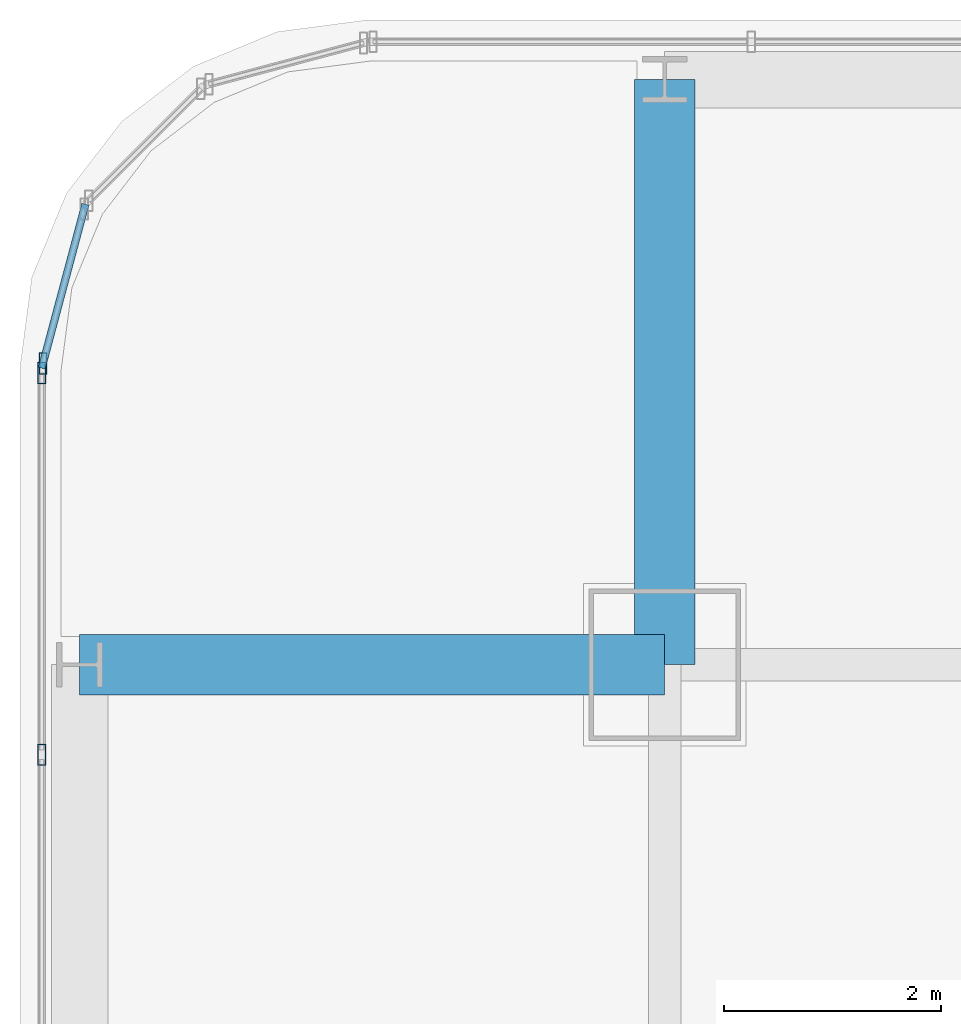
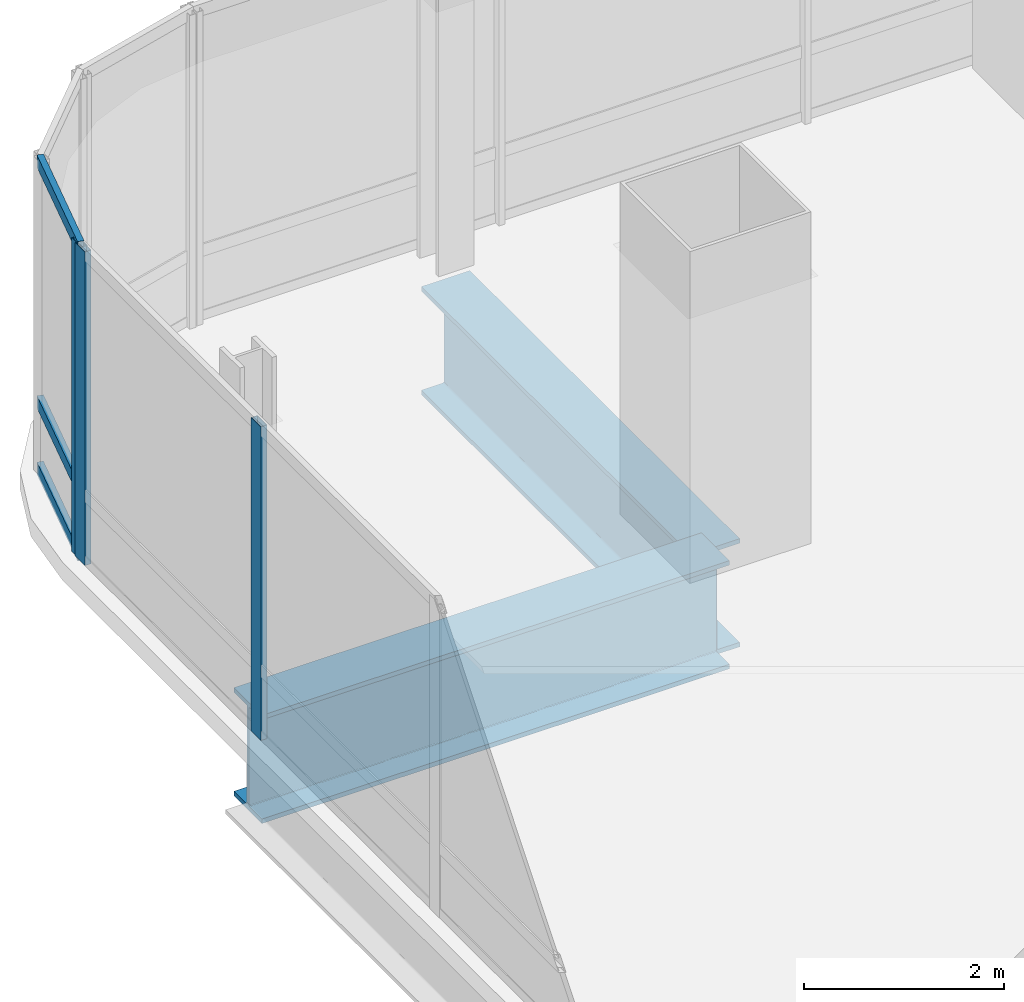
# One storey, part 19 of 38: 6 members, 2 beams, 2 elements without a shape of their own.
"""IFC4 building model written with IfcOpenShell, lengths in metres."""

from ifc_helpers import new_model, si_unit, direction, frame, origin, origin_2d, place, context, subcontext, project, spatial, hollow_rectangle, i_section, extrude, material, material_profile, profile_set, type_object, element, aggregate, save


model = new_model("IFC4")

# Units and contexts
model_context = context("Model", 3, precision=1e-05, world=origin(), true_north=direction((0.0, 1.0)))
body_context = subcontext(model_context, "Body", "Model", "MODEL_VIEW")
ifc_project = project(units=[si_unit("LENGTHUNIT", "METRE"), si_unit("AREAUNIT", "SQUARE_METRE"), si_unit("VOLUMEUNIT", "CUBIC_METRE"), si_unit("PLANEANGLEUNIT", "RADIAN"), si_unit("MASSUNIT", "GRAM", prefix="KILO")], contexts=[model_context])

# Site, building, storey
site_placement = place(None, origin())
site = spatial("IfcSite", under=ifc_project, at=site_placement, CompositionType="ELEMENT")
building_placement = place(site_placement, origin())
building = spatial("IfcBuilding", under=site, at=building_placement, Name="Punatoya Terracotta Tower", CompositionType="ELEMENT")
storey_placement = place(building_placement, frame((0.0, 0.0, 143.85009765625)))
storey = spatial("IfcBuildingStorey", under=building, at=storey_placement, Name="L33", CompositionType="ELEMENT", Elevation=143.85009765625)

# Beams
ifc_material_1 = material(Name="Steel S460", Category="steel")
ifc_material_profile_1 = material_profile(ifc_material_1, i_section(OverallWidth=0.56005859375, OverallDepth=1.320068359375, WebThickness=0.035888671875, FlangeThickness=0.054931640625, FilletRadius=0.01806640625, at=origin_2d()))
ifc_profile_set_1 = profile_set([ifc_material_profile_1], Name="Steel S460")
beam_type = type_object("IfcBeamType", Name="BM-TG-BLK", PredefinedType="BEAM", material=ifc_profile_set_1)
for number, where, z_axis, x_axis, name in (
    (1, (-24.5, 17.5, -0.880126953125), (1.0, 0.0, 0.0), (0.0, 1.0, 0.0), "BM-L33-CANT-W4"),
    (2, (-19.10009765625, 17.5, -0.880126953125), (0.0, 1.0, 0.0), (-1.0, 0.0, 0.0), "BM-L33-CANT-N1"),
):
    element("IfcBeam", number, at=place(storey_placement, frame(where, z_axis=z_axis, x_axis=x_axis)), inside=storey, type_object=beam_type, Name=name, PredefinedType="BEAM", context=body_context, shape_type="SweptSolid", body=[
        extrude(i_section(OverallWidth=0.56005859375, OverallDepth=1.320068359375, WebThickness=0.035888671875, FlangeThickness=0.054931640625, FilletRadius=0.01806640625, at=origin_2d()), origin(), (0.0, 0.0, 1.0), 5.39990234375),
    ])

# Curtain wall, member
ifc_material_2 = material(Name="Aluminium 6063-T6 + Double Low-E Glass", Category="aluminium")
curtain_wall_type = type_object("IfcCurtainWallType", Name="CW-M2", PredefinedType="NOTDEFINED", material=ifc_material_2)
curtain_wall_1_placement = place(storey_placement, origin())
curtain_wall_1 = element("IfcCurtainWall", 3, at=curtain_wall_1_placement, inside=storey, type_object=curtain_wall_type, Name="L33 Curtain Wall CW-L33-CRN12", PredefinedType="NOTDEFINED")
ifc_material_3 = material(Name="Aluminium 6063-T6", Category="aluminium")
ifc_material_profile_2 = material_profile(ifc_material_3, hollow_rectangle(XDim=0.072021484375, YDim=0.195068359375, WallThickness=0.00439453125, at=origin_2d()))
ifc_profile_set_2 = profile_set([ifc_material_profile_2], Name="Aluminium 6063-T6")
member_type_1 = type_object("IfcMemberType", Name="CW-MUL-M2", PredefinedType="MULLION", material=ifc_profile_set_2)
member_1_placement = place(storey_placement, frame((-24.83837890625, 20.280517578125, 0.0), z_axis=(0.0, 0.0, 1.0), x_axis=(1.0, 0.0, 0.0)))
member_1 = element("IfcMember", 4, at=member_1_placement, type_object=member_type_1, Name="CW-L33-CRN12 Mullion 01", PredefinedType="MULLION", context=body_context, shape_type="SweptSolid", body=[
    extrude(hollow_rectangle(XDim=0.072021484375, YDim=0.195068359375, WallThickness=0.00439453125, at=origin_2d()), origin(), (0.0, 0.0, 1.0), 3.829833984375),
])

# Curtain wall, members
curtain_wall_2_placement = place(storey_placement, origin())
curtain_wall_2 = element("IfcCurtainWall", 5, at=curtain_wall_2_placement, inside=storey, type_object=curtain_wall_type, Name="L33 Curtain Wall CW-L33-W13-1", PredefinedType="NOTDEFINED")
member_2_placement = place(storey_placement, frame((-24.85009765625, 20.19189453125, 0.0), z_axis=(0.0, 0.0, 1.0), x_axis=(1.0, 0.0, 0.0)))
member_2 = element("IfcMember", 6, at=member_2_placement, type_object=member_type_1, Name="CW-L33-W13-1 Mullion 00", PredefinedType="MULLION", context=body_context, shape_type="SweptSolid", body=[
    extrude(hollow_rectangle(XDim=0.072021484375, YDim=0.195068359375, WallThickness=0.00439453125, at=origin_2d()), origin(), (0.0, 0.0, 1.0), 3.829833984375),
])
member_3_placement = place(storey_placement, frame((-24.85009765625, 16.66943359375, 0.0), z_axis=(0.0, 0.0, 1.0), x_axis=(1.0, 0.0, 0.0)))
member_3 = element("IfcMember", 7, at=member_3_placement, type_object=member_type_1, Name="CW-L33-W13-1 Mullion 01", PredefinedType="MULLION", context=body_context, shape_type="SweptSolid", body=[
    extrude(hollow_rectangle(XDim=0.072021484375, YDim=0.195068359375, WallThickness=0.00439453125, at=origin_2d()), origin(), (0.0, 0.0, 1.0), 3.829833984375),
])
aggregate(curtain_wall_2, [member_2, member_3])

# Member
ifc_material_profile_3 = material_profile(ifc_material_3, hollow_rectangle(XDim=0.068115234375, YDim=0.14990234375, WallThickness=0.00390625, at=origin_2d()))
ifc_profile_set_3 = profile_set([ifc_material_profile_3], Name="Aluminium 6063-T6")
member_type_2 = type_object("IfcMemberType", Name="CW-TRN-TYP", PredefinedType="USERDEFINED", material=ifc_profile_set_3)
member_4_placement = place(storey_placement, frame((-24.446533203125, 21.7490234375, 0.039794921875), z_axis=(-0.257847112249, -0.966185730957, 0.0), x_axis=(0.966185730957, -0.257847112249, 0.0)))
member_4 = element("IfcMember", 8, at=member_4_placement, type_object=member_type_2, Name="CW-L33-CRN12 Transom 1", ObjectType="TRANSOM", PredefinedType="USERDEFINED", context=body_context, shape_type="SweptSolid", body=[
    extrude(hollow_rectangle(XDim=0.068115234375, YDim=0.14990234375, WallThickness=0.00390625, at=origin_2d()), origin(), (0.0, 0.0, 1.0), 1.565185546875),
])

member_5_placement = place(storey_placement, frame((-24.446533203125, 21.7490234375, 0.849853515625), z_axis=(-0.257847112249, -0.966185730957, 0.0), x_axis=(0.966185730957, -0.257847112249, 0.0)))
member_5 = element("IfcMember", 9, at=member_5_placement, type_object=member_type_2, Name="CW-L33-CRN12 Transom 2", ObjectType="TRANSOM", PredefinedType="USERDEFINED", context=body_context, shape_type="SweptSolid", body=[
    extrude(hollow_rectangle(XDim=0.068115234375, YDim=0.14990234375, WallThickness=0.00390625, at=origin_2d()), origin(), (0.0, 0.0, 1.0), 1.565185546875),
])

member_6_placement = place(storey_placement, frame((-24.446533203125, 21.7490234375, 3.789794921875), z_axis=(-0.257847112249, -0.966185730957, 0.0), x_axis=(0.966185730957, -0.257847112249, 0.0)))
member_6 = element("IfcMember", 10, at=member_6_placement, type_object=member_type_2, Name="CW-L33-CRN12 Transom 3", ObjectType="TRANSOM", PredefinedType="USERDEFINED", context=body_context, shape_type="SweptSolid", body=[
    extrude(hollow_rectangle(XDim=0.068115234375, YDim=0.14990234375, WallThickness=0.00390625, at=origin_2d()), origin(), (0.0, 0.0, 1.0), 1.565185546875),
])

aggregate(curtain_wall_1, [member_1, member_4, member_5, member_6])

save(model, "model.ifc")
